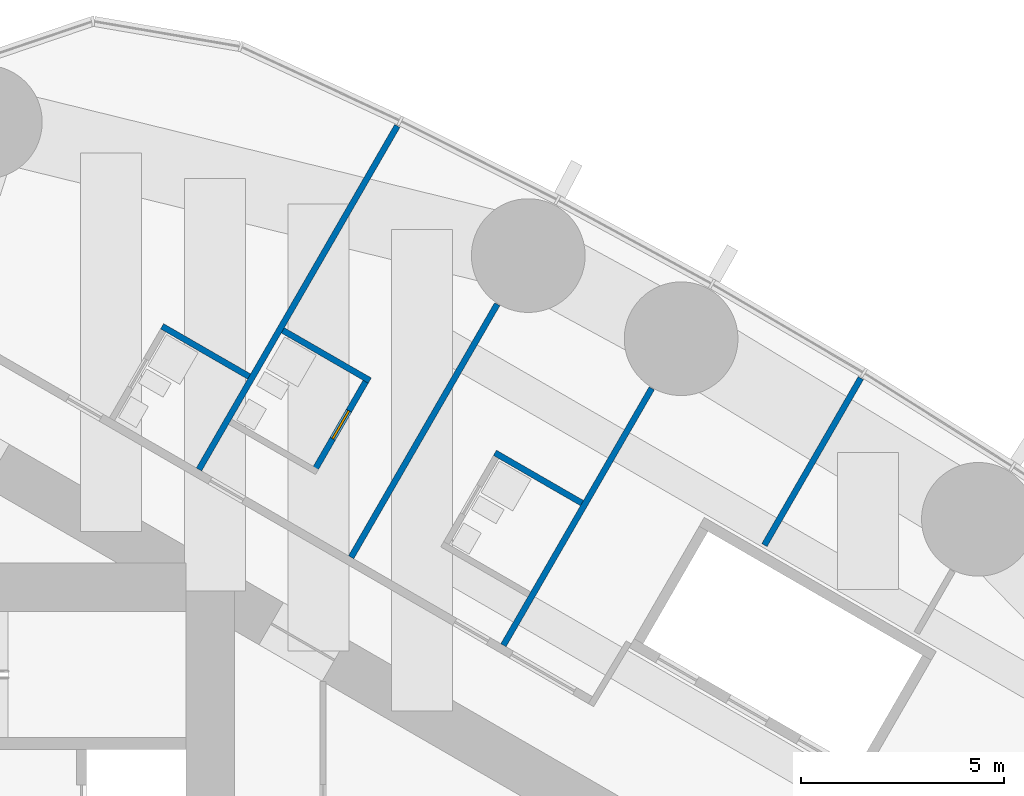
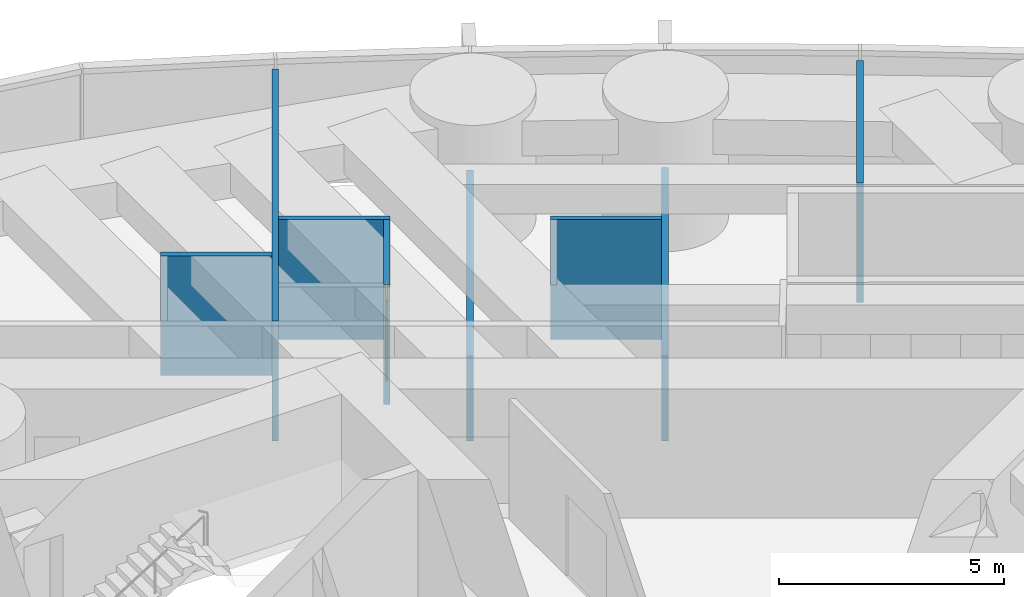
# One storey, part 16 of 19: 8 walls, 1 door, 1 opening.
"""IFC4 building model written with IfcOpenShell, lengths in metres."""

import ifcopenshell
import ifcopenshell.guid

model = None  # the IFC model being written
_history = None  # IfcOwnerHistory: only IFC2X3 demands one
_inside = {}  # id of a spatial element -> (the spatial element, [elements in it])
_under = {}  # id of a project, library or spatial element -> (it, [spatial elements below it])
_declared = {}  # id of a project -> (the project, [libraries it declares])
_typed = {}  # id of a type object -> (the type object, [elements of that type])
_made_of = {}  # id of a material, layer set ... -> (it, [elements and type objects made of it])


def new_model(schema):
    """Start an empty IFC model of exactly this schema.

    Asked for "IFC4X3", IfcOpenShell would pick the latest addendum, in which some entities
    have other attributes; the version numbers below select the first issue.
    IFC2X3 requires an IfcOwnerHistory on every rooted entity: one is made here for all.
    """
    global model, _history
    if schema == "IFC4X3":
        model = ifcopenshell.file(schema_version=(4, 3, 0, 0))
    else:
        model = ifcopenshell.file(schema=schema)
    _inside.clear()
    _under.clear()
    _declared.clear()
    _typed.clear()
    _made_of.clear()
    _history = None
    if model.schema == "IFC2X3":
        org = make("IfcOrganization", Name="unknown")
        user = make(
            "IfcPersonAndOrganization",
            ThePerson=make("IfcPerson", FamilyName="unknown"),
            TheOrganization=org,
        )
        app = make(
            "IfcApplication",
            ApplicationDeveloper=org,
            Version="unknown",
            ApplicationFullName="unknown",
            ApplicationIdentifier="unknown",
        )
        _history = make(
            "IfcOwnerHistory",
            OwningUser=user,
            OwningApplication=app,
            ChangeAction="ADDED",
            CreationDate=0,
        )
    return model


def make(cls, **values):
    """One entity of the class cls with the attributes given. An attribute that is None is left unset."""
    return model.create_entity(
        cls, **{name: value for name, value in values.items() if value is not None}
    )


def rooted(cls, **values):
    """An entity with a GlobalId (a new one), such as an element, a storey or a relation."""
    return make(cls, GlobalId=ifcopenshell.guid.new(), OwnerHistory=_history, **values)


def si_unit(unit_type, name, prefix=None):
    """IfcSIUnit, for example si_unit("LENGTHUNIT", "METRE", prefix="MILLI")."""
    return make("IfcSIUnit", UnitType=unit_type, Prefix=prefix, Name=name)


def assignment(units):
    """IfcUnitAssignment: the units of a project."""
    return None if units is None else make("IfcUnitAssignment", Units=units)


def point(xyz):
    """IfcCartesianPoint."""
    return None if xyz is None else make("IfcCartesianPoint", Coordinates=xyz)


def direction(xyz):
    """IfcDirection."""
    return None if xyz is None else make("IfcDirection", DirectionRatios=xyz)


def frame(location, z_axis=None, x_axis=None):
    """IfcAxis2Placement3D, a coordinate frame: its origin and axes. An axis left out is left unset."""
    return make(
        "IfcAxis2Placement3D",
        Location=point(location),
        Axis=direction(z_axis),
        RefDirection=direction(x_axis),
    )


def frame_2d(location, x_axis=None):
    """IfcAxis2Placement2D, a coordinate frame in the plane: its origin and x axis."""
    return make(
        "IfcAxis2Placement2D", Location=point(location), RefDirection=direction(x_axis)
    )


def origin():
    """The frame at (0, 0, 0) with its axes left unset."""
    return frame((0.0, 0.0, 0.0))


def place(relative_to, where):
    """IfcLocalPlacement: puts the frame where relative to a parent placement (None: the world)."""
    return make(
        "IfcLocalPlacement", PlacementRelTo=relative_to, RelativePlacement=where
    )


def context(
    kind, dimensions, precision=None, world=None, true_north=None, identifier=None
):
    """IfcGeometricRepresentationContext, for example the 3D "Model" context."""
    return make(
        "IfcGeometricRepresentationContext",
        ContextIdentifier=identifier,
        ContextType=kind,
        CoordinateSpaceDimension=dimensions,
        Precision=precision,
        WorldCoordinateSystem=world,
        TrueNorth=true_north,
    )


def subcontext(parent, identifier, kind, view, scale=None):
    """IfcGeometricRepresentationSubContext, for example "Body" below "Model"."""
    return make(
        "IfcGeometricRepresentationSubContext",
        ContextIdentifier=identifier,
        ContextType=kind,
        ParentContext=parent,
        TargetScale=scale,
        TargetView=view,
    )


def project(units=None, contexts=None):
    """IfcProject with its units and contexts."""
    return rooted(
        "IfcProject",
        Name="project",
        RepresentationContexts=contexts,
        UnitsInContext=assignment(units),
    )


def spatial(cls, under=None, at=None, **own):
    """A site, building, storey or space (cls), placed at a placement, below another one or the project."""
    s = rooted(cls, ObjectPlacement=at, **own)
    if under is not None:
        _under.setdefault(under.id(), (under, []))[1].append(s)
    return s


def profile(cls, at=None, kind="AREA", **sizes):
    """A parametric profile (cls). Its sizes go by their IFC names, for example OverallWidth=200.0."""
    return make(cls, ProfileType=kind, Position=at, **sizes)


def rectangle(**sizes):
    """IfcRectangleProfileDef."""
    return profile("IfcRectangleProfileDef", **sizes)


def extrude(swept, where, along, depth):
    """IfcExtrudedAreaSolid: the profile swept, set in the frame where, extruded along a direction by depth."""
    return make(
        "IfcExtrudedAreaSolid",
        SweptArea=swept,
        Position=where,
        ExtrudedDirection=direction(along),
        Depth=depth,
    )


def shape(context_of_items, identifier, shape_type, items):
    """IfcShapeRepresentation: the items that make up one representation, for example the "Body"."""
    return make(
        "IfcShapeRepresentation",
        ContextOfItems=context_of_items,
        RepresentationIdentifier=identifier,
        RepresentationType=shape_type,
        Items=items,
    )


def material(Name=None, Category=None):
    """IfcMaterial."""
    return make("IfcMaterial", Name=Name, Category=Category)


def layer(
    of_material, thickness, ventilated=None, Name=None, Category=None, Priority=None
):
    """IfcMaterialLayer: one layer of a wall or slab, of a material (None: an air gap)."""
    return make(
        "IfcMaterialLayer",
        Material=of_material,
        LayerThickness=thickness,
        IsVentilated=ventilated,
        Name=Name,
        Category=Category,
        Priority=Priority,
    )


def layer_set(layers, Name=None):
    """IfcMaterialLayerSet."""
    return make("IfcMaterialLayerSet", MaterialLayers=layers, LayerSetName=Name)


def made_of(thing, what):
    """Note that an element or type object is made of a material, layer set ...; save() writes the relation."""
    if what is not None:
        _made_of.setdefault(what.id(), (what, []))[1].append(thing)
    return thing


def type_object(cls, material=None, **own):
    """A type object (cls), such as IfcWallType, which elements share."""
    return made_of(rooted(cls, **own), material)


def element(
    cls,
    number,
    at=None,
    inside=None,
    cuts=None,
    type_object=None,
    material=None,
    context=None,
    identifier="Body",
    shape_type=None,
    held_by="IfcProductDefinitionShape",
    body=None,
    shapes=None,
    **own,
):
    """One element of the class cls, such as IfcWall. Its Tag is "e" and its number.

    at: its placement. inside: the storey or other place that contains it. cuts: it is an
    opening in that element (IfcRelVoidsElement). A single representation is given by context,
    identifier, shape_type and body (its items); several are given by shapes. held_by: the class
    of the entity that holds the representations. save() writes the other relations.
    """
    e = rooted(cls, Tag="e%d" % number, ObjectPlacement=at, **own)
    if body is not None:
        shapes = [shape(context, identifier, shape_type, body)]
    if shapes is not None:
        e.Representation = make(held_by, Representations=shapes)
    if inside is not None:
        _inside.setdefault(inside.id(), (inside, []))[1].append(e)
    if cuts is not None:
        rooted(
            "IfcRelVoidsElement", RelatingBuildingElement=cuts, RelatedOpeningElement=e
        )
    if type_object is not None:
        _typed.setdefault(type_object.id(), (type_object, []))[1].append(e)
    return made_of(e, material)


def fill(opening, filler):
    """IfcRelFillsElement: the door or window that sits in an opening."""
    return rooted(
        "IfcRelFillsElement",
        RelatingOpeningElement=opening,
        RelatedBuildingElement=filler,
    )


def aggregate(whole, parts):
    """IfcRelAggregates: a whole, such as a stair, and the parts it consists of."""
    return rooted("IfcRelAggregates", RelatingObject=whole, RelatedObjects=parts)


def save(model, path):
    """Write the relations noted so far, then the file.

    IfcRelAggregates (storeys below a building ...), IfcRelContainedInSpatialStructure (elements
    in a storey), IfcRelDefinesByType, IfcRelAssociatesMaterial and IfcRelDeclares: one each for
    every whole, place, type object, material and project.
    """
    for whole, parts in _under.values():
        aggregate(whole, parts)
    for where, things in _inside.values():
        rooted(
            "IfcRelContainedInSpatialStructure",
            RelatedElements=things,
            RelatingStructure=where,
        )
    for kind, things in _typed.values():
        rooted("IfcRelDefinesByType", RelatedObjects=things, RelatingType=kind)
    for what, things in _made_of.values():
        rooted("IfcRelAssociatesMaterial", RelatedObjects=things, RelatingMaterial=what)
    for by, libraries in _declared.values():
        rooted("IfcRelDeclares", RelatingContext=by, RelatedDefinitions=libraries)
    model.write(path)


model = new_model("IFC4")

# Units and contexts
model_context = context("Model", 3, precision=1e-05, world=origin(), true_north=direction((0.0, 1.0)))
body_context = subcontext(model_context, "Body", "Model", "MODEL_VIEW")
ifc_project = project(units=[si_unit("LENGTHUNIT", "METRE"), si_unit("AREAUNIT", "SQUARE_METRE"), si_unit("VOLUMEUNIT", "CUBIC_METRE"), si_unit("PLANEANGLEUNIT", "RADIAN"), si_unit("MASSUNIT", "GRAM", prefix="KILO")], contexts=[model_context])

# Site, building, storey
site_placement = place(None, origin())
site = spatial("IfcSite", under=ifc_project, at=site_placement, CompositionType="ELEMENT")
building_placement = place(site_placement, origin())
building = spatial("IfcBuilding", under=site, at=building_placement, Name="Lancet Gate Hotel", CompositionType="ELEMENT")
storey_placement = place(building_placement, frame((0.0, 0.0, 184.300048828125)))
storey = spatial("IfcBuildingStorey", under=building, at=storey_placement, Name="L49", CompositionType="ELEMENT", Elevation=184.300048828125)

# Walls
ifc_material_1 = material(Name="Moisture resistant board partition")
ifc_layer_1 = layer(ifc_material_1, 0.14990234375)
ifc_layer_set_1 = layer_set([ifc_layer_1], Name="Bathroom wall 150")
wall_type_1 = type_object("IfcWallType", Name="Bathroom wall 150", PredefinedType="PARTITIONING", material=ifc_layer_set_1)
wall_1_placement = place(storey_placement, frame((44.31298828125, 11.309814453125, 0.0), z_axis=(0.0, 0.0, 1.0), x_axis=(0.866031185235, -0.4999899861, 0.0)))
element("IfcWall", 1, at=wall_1_placement, inside=storey, type_object=wall_type_1, Name="T2 bathroom wall 150 L49", PredefinedType="PARTITIONING", context=body_context, shape_type="SweptSolid", body=[
    extrude(rectangle(XDim=2.47509765625, YDim=0.14990234375, at=frame_2d((1.237548828125, 0.0))), origin(), (0.0, 0.0, 1.0), 3.25),
])
wall_2_placement = place(storey_placement, frame((39.087158203125, 14.3271484375, 0.0), z_axis=(0.0, 0.0, 1.0), x_axis=(0.866006523861, -0.500032699561, 0.0)))
element("IfcWall", 2, at=wall_2_placement, inside=storey, type_object=wall_type_1, Name="T2 bathroom wall 150 L49", PredefinedType="PARTITIONING", context=body_context, shape_type="SweptSolid", body=[
    extrude(rectangle(XDim=2.474853515625, YDim=0.14990234375, at=frame_2d((1.2373046875, 0.0))), origin(), (0.0, 0.0, 1.0), 3.25),
])

# Wall, opening, door
wall_3_placement = place(storey_placement, frame((39.865478515625, 10.87548828125, 0.0), z_axis=(0.0, 0.0, 1.0), x_axis=(0.500047596559, 0.865997922154, 0.0)))
wall_3 = element("IfcWall", 3, at=wall_3_placement, inside=storey, type_object=wall_type_1, Name="T2 bathroom wall 150 L49", PredefinedType="PARTITIONING", context=body_context, shape_type="SweptSolid", body=[
    extrude(rectangle(XDim=2.599853515625, YDim=0.14990234375, at=frame_2d((1.2998046875, 0.0))), origin(), (0.0, 0.0, 1.0), 3.25),
])
opening_placement = place(wall_3_placement, frame((0.89990234375, 0.0, 0.0)))
opening = element("IfcOpeningElement", 4, at=opening_placement, cuts=wall_3, Name="Opening 4962-B", PredefinedType="OPENING", context=body_context, shape_type="SweptSolid", body=[
    extrude(rectangle(XDim=0.800048828125, YDim=2.199951171875, at=frame_2d((0.39990234375, 1.10009765625))), frame((0.0, 0.0849609375, 0.0), z_axis=(0.0, -1.0, 0.0), x_axis=(1.0, 0.0, 0.0)), (0.0, 0.0, 1.0), 0.169921875),
])
ifc_material_2 = material(Name="Timber door set", Category="wood")
door_type = type_object("IfcDoorType", Name="Bathroom door 800", OperationType="SINGLE_SWING_RIGHT", PredefinedType="DOOR", material=ifc_material_2)
door_placement = place(opening_placement, origin())
door = element("IfcDoor", 5, at=door_placement, inside=storey, type_object=door_type, Name="4962-B", OperationType="SINGLE_SWING_RIGHT", OverallHeight=2.199951171875, OverallWidth=0.800048828125, PredefinedType="DOOR", context=body_context, shape_type="SweptSolid", body=[
    extrude(rectangle(XDim=0.800048828125, YDim=2.199951171875, at=frame_2d((0.39990234375, 1.10009765625))), frame((0.0, 0.02490234375, 0.0), z_axis=(0.0, -1.0, 0.0), x_axis=(1.0, 0.0, 0.0)), (0.0, 0.0, 1.0), 0.050048828125),
])
fill(opening, door)

# Walls
wall_4_placement = place(storey_placement, frame((36.11376953125, 14.427001953125, 0.0), z_axis=(0.0, 0.0, 1.0), x_axis=(0.86604923931, -0.499958713387, 0.0)))
element("IfcWall", 6, at=wall_4_placement, inside=storey, type_object=wall_type_1, Name="T2 bathroom wall 150 L49", PredefinedType="PARTITIONING", context=body_context, shape_type="SweptSolid", body=[
    extrude(rectangle(XDim=2.474853515625, YDim=0.14990234375, at=frame_2d((1.2373046875, 0.0))), origin(), (0.0, 0.0, 1.0), 3.25),
])
ifc_material_3 = material(Name="Gypsum board partition")
ifc_layer_2 = layer(ifc_material_3, 0.14990234375)
ifc_layer_set_2 = layer_set([ifc_layer_2], Name="Party wall 150")
wall_type_2 = type_object("IfcWallType", Name="Party wall 150", PredefinedType="PARTITIONING", material=ifc_layer_set_2)
wall_5_placement = place(storey_placement, frame((37.022216796875, 10.900390625, 0.0), z_axis=(0.0, 0.0, 1.0), x_axis=(0.499998620953, 0.866026199976, 0.0)))
element("IfcWall", 7, at=wall_5_placement, inside=storey, type_object=wall_type_2, Name="T2 party wall 150 L49", PredefinedType="PARTITIONING", context=body_context, shape_type="SweptSolid", body=[
    extrude(rectangle(XDim=9.76953125, YDim=0.14990234375, at=frame_2d((4.884765625, 0.0))), origin(), (0.0, 0.0, 1.0), 3.25),
])
wall_6_placement = place(storey_placement, frame((40.769287109375, 8.737060546875, 0.0), z_axis=(0.0, 0.0, 1.0), x_axis=(0.500013115284, 0.866017831539, 0.0)))
element("IfcWall", 8, at=wall_6_placement, inside=storey, type_object=wall_type_2, Name="T2 party wall 150 L49", PredefinedType="PARTITIONING", context=body_context, shape_type="SweptSolid", body=[
    extrude(rectangle(XDim=7.197998046875, YDim=0.14990234375, at=frame_2d((3.59912109375, 0.0))), origin(), (0.0, 0.0, 1.0), 2.300048828125),
])
wall_7_placement = place(storey_placement, frame((44.521484375, 6.57080078125, 0.0), z_axis=(0.0, 0.0, 1.0), x_axis=(0.500020376429, 0.866013639128, 0.0)))
element("IfcWall", 9, at=wall_7_placement, inside=storey, type_object=wall_type_2, Name="T2 party wall 150 L49", PredefinedType="PARTITIONING", context=body_context, shape_type="SweptSolid", body=[
    extrude(rectangle(XDim=7.306396484375, YDim=0.14990234375, at=frame_2d((3.6533203125, 0.0))), origin(), (0.0, 0.0, 1.0), 2.300048828125),
])
wall_8_placement = place(storey_placement, frame((50.949951171875, 9.037353515625, 0.0), z_axis=(0.0, 0.0, 1.0), x_axis=(0.499988022762, 0.866032318735, 0.0)))
element("IfcWall", 10, at=wall_8_placement, inside=storey, type_object=wall_type_2, Name="T2 party wall 150 L49", PredefinedType="PARTITIONING", context=body_context, shape_type="SweptSolid", body=[
    extrude(rectangle(XDim=4.748046875, YDim=0.14990234375, at=frame_2d((2.3740234375, 0.0))), origin(), (0.0, 0.0, 1.0), 3.25),
])

save(model, "model.ifc")
